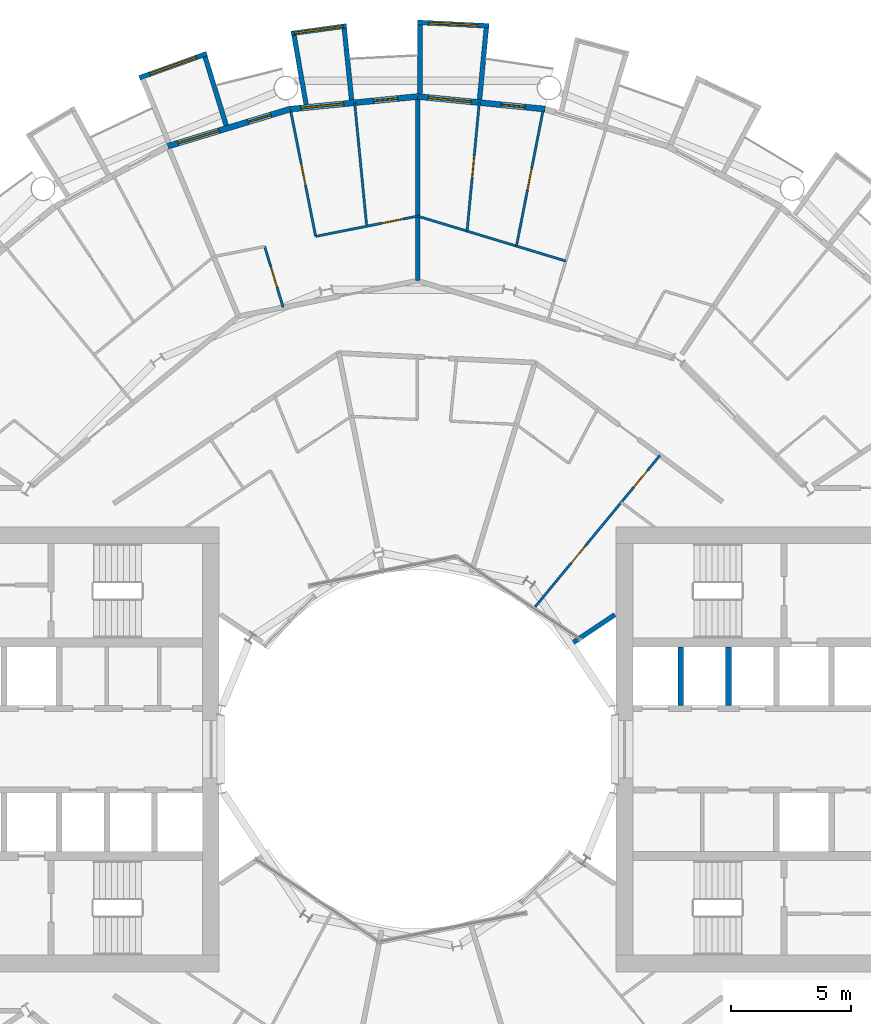
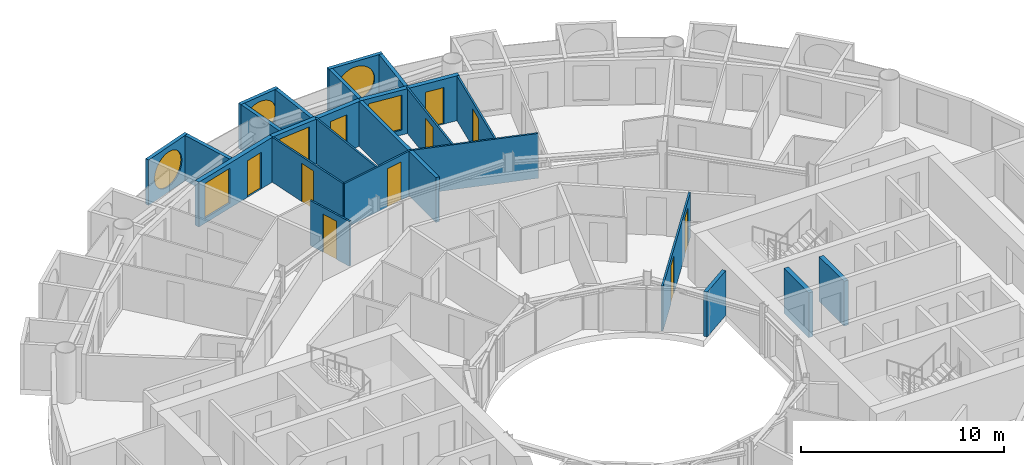
# One storey, part 20 of 26: 23 walls, 10 doors, 6 windows, 16 openings.
"""IFC4 building model written with IfcOpenShell, lengths in metres."""

from ifc_helpers import new_model, si_unit, direction, frame, frame_2d, origin, place, context, subcontext, project, spatial, rectangle, circle, extrude, material, layer, layer_set, type_object, element, fill, save


model = new_model("IFC4")

# Units and contexts
model_context = context("Model", 3, precision=1e-05, world=origin(), true_north=direction((0.0, 1.0)))
body_context = subcontext(model_context, "Body", "Model", "MODEL_VIEW")
ifc_project = project(units=[si_unit("LENGTHUNIT", "METRE"), si_unit("AREAUNIT", "SQUARE_METRE"), si_unit("VOLUMEUNIT", "CUBIC_METRE"), si_unit("PLANEANGLEUNIT", "RADIAN"), si_unit("MASSUNIT", "GRAM", prefix="KILO")], contexts=[model_context])

# Site, building, storey
site_placement = place(None, origin())
site = spatial("IfcSite", under=ifc_project, at=site_placement, CompositionType="ELEMENT")
building_placement = place(site_placement, origin())
building = spatial("IfcBuilding", under=site, at=building_placement, Name="Maasbend Ring Residences", CompositionType="ELEMENT")
storey_placement = place(building_placement, frame((0.0, 0.0, 88.0)))
storey = spatial("IfcBuildingStorey", under=building, at=storey_placement, Name="L25", CompositionType="ELEMENT", Elevation=88.0)

# Wall, opening, window
ifc_material_1 = material(Name="Pale anodised aluminium panel", Category="aluminium")
ifc_layer_1 = layer(ifc_material_1, 0.199951171875)
ifc_layer_set_1 = layer_set([ifc_layer_1], Name="EW-BOX")
wall_type_1 = type_object("IfcWallType", Name="EW-BOX", PredefinedType="SOLIDWALL", material=ifc_layer_set_1)
wall_1_placement = place(storey_placement, frame((2.985107421875, 30.2529296875, -0.030029296875), z_axis=(0.0, 0.0, 1.0), x_axis=(-0.998794083011, 0.049095618353, 0.0)))
wall_1 = element("IfcWall", 1, at=wall_1_placement, inside=storey, type_object=wall_type_1, Name="Box front N10", PredefinedType="SOLIDWALL", context=body_context, shape_type="SweptSolid", body=[
    extrude(rectangle(XDim=2.99365234375, YDim=0.199951171875, at=frame_2d((1.496826171875, 0.0))), origin(), (0.0, 0.0, 1.0), 2.72998046875),
])
opening_1_placement = place(wall_1_placement, frame((0.45654296875, 0.0, 0.330078125)))
opening_1 = element("IfcOpeningElement", 2, at=opening_1_placement, cuts=wall_1, Name="Opening W-RD", PredefinedType="OPENING", context=body_context, shape_type="SweptSolid", body=[
    extrude(circle(Radius=1.0400390625, at=frame_2d((1.0400390625, 1.0400390625))), frame((0.0, 0.10986328125, 0.0), z_axis=(0.0, -1.0, 0.0), x_axis=(1.0, 0.0, 0.0)), (0.0, 0.0, 1.0), 0.219970703125),
])
ifc_material_2 = material(Name="Aluminium and clear glass", Category="aluminium")
window_type_1 = type_object("IfcWindowType", Name="W-RD", PartitioningType="SINGLE_PANEL", PredefinedType="WINDOW", material=ifc_material_2)
window_1_placement = place(opening_1_placement, origin())
window_1 = element("IfcWindow", 3, at=window_1_placement, inside=storey, type_object=window_type_1, Name="Round window N10", OverallHeight=2.080078125, OverallWidth=2.080078125, PartitioningType="SINGLE_PANEL", PredefinedType="WINDOW", context=body_context, shape_type="SweptSolid", body=[
    extrude(circle(Radius=1.0400390625, at=frame_2d((1.0400390625, 1.0400390625))), frame((0.0, 0.030029296875, 0.0), z_axis=(0.0, -1.0, 0.0), x_axis=(1.0, 0.0, 0.0)), (0.0, 0.0, 1.0), 0.06005859375),
])
fill(opening_1, window_1)

# Walls
wall_2_placement = place(storey_placement, frame((2.5859375, 27.1708984375, -0.030029296875), z_axis=(0.0, 0.0, 1.0), x_axis=(0.094548432284, 0.995520262954, 0.0)))
element("IfcWall", 4, at=wall_2_placement, inside=storey, type_object=wall_type_1, Name="Box side wall N10 left", PredefinedType="SOLIDWALL", context=body_context, shape_type="SweptSolid", body=[
    extrude(rectangle(XDim=3.005615234375, YDim=0.199951171875, at=frame_2d((1.5029296875, 0.0))), origin(), (0.0, 0.0, 1.0), 2.72998046875),
])
wall_3_placement = place(storey_placement, frame((0.090087890625, 27.4169921875, -0.030029296875), z_axis=(0.0, 0.0, 1.0), x_axis=(0.00347308367, 0.999993968827, 0.0)))
element("IfcWall", 5, at=wall_3_placement, inside=storey, type_object=wall_type_1, Name="Box side wall N10 right", PredefinedType="SOLIDWALL", context=body_context, shape_type="SweptSolid", body=[
    extrude(rectangle(XDim=2.882080078125, YDim=0.199951171875, at=frame_2d((1.44091796875, 0.0))), origin(), (0.0, 0.0, 1.0), 2.72998046875),
])

# Wall, opening, window
wall_4_placement = place(storey_placement, frame((-2.97607421875, 30.25390625, -0.030029296875), z_axis=(0.0, 0.0, 1.0), x_axis=(-0.990696111261, -0.136092671119, 0.0)))
wall_4 = element("IfcWall", 6, at=wall_4_placement, inside=storey, type_object=wall_type_1, Name="Box front N12", PredefinedType="SOLIDWALL", context=body_context, shape_type="SweptSolid", body=[
    extrude(rectangle(XDim=2.335693359375, YDim=0.199951171875, at=frame_2d((1.16796875, 0.0))), origin(), (0.0, 0.0, 1.0), 2.72998046875),
])
opening_2_placement = place(wall_4_placement, frame((0.128173828125, 0.0, 0.330078125)))
opening_2 = element("IfcOpeningElement", 7, at=opening_2_placement, cuts=wall_4, Name="Opening W-RD", PredefinedType="OPENING", context=body_context, shape_type="SweptSolid", body=[
    extrude(circle(Radius=1.0400390625, at=frame_2d((1.0400390625, 1.0400390625))), frame((0.0, 0.10986328125, 0.0), z_axis=(0.0, -1.0, 0.0), x_axis=(1.0, 0.0, 0.0)), (0.0, 0.0, 1.0), 0.219970703125),
])
window_2_placement = place(opening_2_placement, origin())
window_2 = element("IfcWindow", 8, at=window_2_placement, inside=storey, type_object=window_type_1, Name="Round window N12", OverallHeight=2.080078125, OverallWidth=2.080078125, PartitioningType="SINGLE_PANEL", PredefinedType="WINDOW", context=body_context, shape_type="SweptSolid", body=[
    extrude(circle(Radius=1.0400390625, at=frame_2d((1.0400390625, 1.0400390625))), frame((0.0, 0.030029296875, 0.0), z_axis=(0.0, -1.0, 0.0), x_axis=(1.0, 0.0, 0.0)), (0.0, 0.0, 1.0), 0.06005859375),
])
fill(opening_2, window_2)

# Walls
wall_5_placement = place(storey_placement, frame((-2.763916015625, 27.153076171875, -0.030029296875), z_axis=(0.0, 0.0, 1.0), x_axis=(-0.101505487237, 0.994834979311, 0.0)))
element("IfcWall", 9, at=wall_5_placement, inside=storey, type_object=wall_type_1, Name="Box side wall N12 left", PredefinedType="SOLIDWALL", context=body_context, shape_type="SweptSolid", body=[
    extrude(rectangle(XDim=3.006591796875, YDim=0.199951171875, at=frame_2d((1.50341796875, 0.0))), origin(), (0.0, 0.0, 1.0), 2.72998046875),
])
wall_6_placement = place(storey_placement, frame((-4.6708984375, 26.966064453125, -0.030029296875), z_axis=(0.0, 0.0, 1.0), x_axis=(-0.170539878907, 0.985350774954, 0.0)))
element("IfcWall", 10, at=wall_6_placement, inside=storey, type_object=wall_type_1, Name="Box side wall N12 right", PredefinedType="SOLIDWALL", context=body_context, shape_type="SweptSolid", body=[
    extrude(rectangle(XDim=2.931884765625, YDim=0.199951171875, at=frame_2d((1.4658203125, 0.0))), origin(), (0.0, 0.0, 1.0), 2.72998046875),
])

# Wall, opening, window
wall_7_placement = place(storey_placement, frame((-8.820068359375, 29.093017578125, -0.030029296875), z_axis=(0.0, 0.0, 1.0), x_axis=(-0.941461077774, -0.337121697664, 0.0)))
wall_7 = element("IfcWall", 11, at=wall_7_placement, inside=storey, type_object=wall_type_1, Name="Box front N14", PredefinedType="SOLIDWALL", context=body_context, shape_type="SweptSolid", body=[
    extrude(rectangle(XDim=2.9931640625, YDim=0.199951171875, at=frame_2d((1.49658203125, 0.0))), origin(), (0.0, 0.0, 1.0), 2.72998046875),
])
opening_3_placement = place(wall_7_placement, frame((0.45654296875, 0.0, 0.330078125)))
opening_3 = element("IfcOpeningElement", 12, at=opening_3_placement, cuts=wall_7, Name="Opening W-RD", PredefinedType="OPENING", context=body_context, shape_type="SweptSolid", body=[
    extrude(circle(Radius=1.0400390625, at=frame_2d((1.0400390625, 1.0400390625))), frame((0.0, 0.10986328125, 0.0), z_axis=(0.0, -1.0, 0.0), x_axis=(1.0, 0.0, 0.0)), (0.0, 0.0, 1.0), 0.219970703125),
])
window_3_placement = place(opening_3_placement, origin())
window_3 = element("IfcWindow", 13, at=window_3_placement, inside=storey, type_object=window_type_1, Name="Round window N14", OverallHeight=2.080078125, OverallWidth=2.080078125, PartitioningType="SINGLE_PANEL", PredefinedType="WINDOW", context=body_context, shape_type="SweptSolid", body=[
    extrude(circle(Radius=1.0400390625, at=frame_2d((1.0400390625, 1.0400390625))), frame((0.0, 0.030029296875, 0.0), z_axis=(0.0, -1.0, 0.0), x_axis=(1.0, 0.0, 0.0)), (0.0, 0.0, 1.0), 0.06005859375),
])
fill(opening_3, window_3)

# Wall
wall_8_placement = place(storey_placement, frame((-8.009033203125, 26.092041015625, -0.030029296875), z_axis=(0.0, 0.0, 1.0), x_axis=(-0.293406695073, 0.955987715029, 0.0)))
element("IfcWall", 14, at=wall_8_placement, inside=storey, type_object=wall_type_1, Name="Box side wall N14 left", PredefinedType="SOLIDWALL", context=body_context, shape_type="SweptSolid", body=[
    extrude(rectangle(XDim=3.00634765625, YDim=0.199951171875, at=frame_2d((1.503173828125, 0.0))), origin(), (0.0, 0.0, 1.0), 2.72998046875),
])

# Wall, openings, door, window
ifc_material_3 = material(Name="Aluminium clad insulated panel", Category="aluminium")
ifc_layer_2 = layer(ifc_material_3, 0.25)
ifc_layer_set_2 = layer_set([ifc_layer_2], Name="EW-GL")
wall_type_2 = type_object("IfcWallType", Name="EW-GL", PredefinedType="SOLIDWALL", material=ifc_layer_set_2)
wall_9_placement = place(storey_placement, frame((5.325927734375, 26.77490234375, 0.0), z_axis=(0.0, 0.0, 1.0), x_axis=(-0.995173996315, 0.098126026407, 0.0)))
wall_9 = element("IfcWall", 15, at=wall_9_placement, inside=storey, type_object=wall_type_2, Name="External wall N05", PredefinedType="SOLIDWALL", context=body_context, shape_type="SweptSolid", body=[
    extrude(rectangle(XDim=5.351806640625, YDim=0.25, at=frame_2d((2.67578125, 0.0))), origin(), (0.0, 0.0, 1.0), 2.699951171875),
])
opening_4_placement = place(wall_9_placement, frame((0.841064453125, 0.0, 0.0)))
opening_4 = element("IfcOpeningElement", 16, at=opening_4_placement, cuts=wall_9, Name="Opening D-LG", PredefinedType="OPENING", context=body_context, shape_type="SweptSolid", body=[
    extrude(rectangle(XDim=1.0, YDim=2.199951171875, at=frame_2d((0.5, 1.10009765625))), frame((0.0, 0.135009765625, 0.0), z_axis=(0.0, -1.0, 0.0), x_axis=(1.0, 0.0, 0.0)), (0.0, 0.0, 1.0), 0.27001953125),
])
opening_5_placement = place(wall_9_placement, frame((3.110595703125, 0.0, 0.300048828125)))
opening_5 = element("IfcOpeningElement", 17, at=opening_5_placement, cuts=wall_9, Name="Opening W-BX", PredefinedType="OPENING", context=body_context, shape_type="SweptSolid", body=[
    extrude(rectangle(XDim=1.800048828125, YDim=2.10009765625, at=frame_2d((0.89990234375, 1.050048828125))), frame((0.0, 0.135009765625, 0.0), z_axis=(0.0, -1.0, 0.0), x_axis=(1.0, 0.0, 0.0)), (0.0, 0.0, 1.0), 0.27001953125),
])
ifc_material_4 = material(Name="Aluminium and clear glass", Category="aluminium")
door_type_1 = type_object("IfcDoorType", Name="D-LG", OperationType="SINGLE_SWING_LEFT", PredefinedType="DOOR", material=ifc_material_4)
door_1_placement = place(opening_4_placement, origin())
door_1 = element("IfcDoor", 18, at=door_1_placement, inside=storey, type_object=door_type_1, Name="Loggia door N09", OperationType="SINGLE_SWING_LEFT", OverallHeight=2.199951171875, OverallWidth=1.0, PredefinedType="DOOR", context=body_context, shape_type="SweptSolid", body=[
    extrude(rectangle(XDim=1.0, YDim=2.199951171875, at=frame_2d((0.5, 1.10009765625))), frame((0.0, 0.02490234375, 0.0), z_axis=(0.0, -1.0, 0.0), x_axis=(1.0, 0.0, 0.0)), (0.0, 0.0, 1.0), 0.050048828125),
])
fill(opening_4, door_1)
ifc_material_5 = material(Name="Aluminium and clear glass", Category="aluminium")
window_type_2 = type_object("IfcWindowType", Name="W-BX", PartitioningType="DOUBLE_PANEL_VERTICAL", PredefinedType="WINDOW", material=ifc_material_5)
window_4_placement = place(opening_5_placement, origin())
window_4 = element("IfcWindow", 19, at=window_4_placement, inside=storey, type_object=window_type_2, Name="Window N10 room to box", OverallHeight=2.10009765625, OverallWidth=1.800048828125, PartitioningType="SINGLE_PANEL", PredefinedType="WINDOW", context=body_context, shape_type="SweptSolid", body=[
    extrude(rectangle(XDim=1.800048828125, YDim=2.10009765625, at=frame_2d((0.89990234375, 1.050048828125))), frame((0.0, 0.030029296875, 0.0), z_axis=(0.0, -1.0, 0.0), x_axis=(1.0, 0.0, 0.0)), (0.0, 0.0, 1.0), 0.06005859375),
])
fill(opening_5, window_4)

wall_10_placement = place(storey_placement, frame((0.0, 27.300048828125, 0.0), z_axis=(0.0, 0.0, 1.0), x_axis=(-0.995173996315, -0.098126026407, 0.0)))
wall_10 = element("IfcWall", 20, at=wall_10_placement, inside=storey, type_object=wall_type_2, Name="External wall N06", PredefinedType="SOLIDWALL", context=body_context, shape_type="SweptSolid", body=[
    extrude(rectangle(XDim=5.351806640625, YDim=0.25, at=frame_2d((2.67578125, 0.0))), origin(), (0.0, 0.0, 1.0), 2.699951171875),
])
opening_6_placement = place(wall_10_placement, frame((0.841064453125, 0.0, 0.0)))
opening_6 = element("IfcOpeningElement", 21, at=opening_6_placement, cuts=wall_10, Name="Opening D-LG", PredefinedType="OPENING", context=body_context, shape_type="SweptSolid", body=[
    extrude(rectangle(XDim=1.0, YDim=2.199951171875, at=frame_2d((0.5, 1.10009765625))), frame((0.0, 0.135009765625, 0.0), z_axis=(0.0, -1.0, 0.0), x_axis=(1.0, 0.0, 0.0)), (0.0, 0.0, 1.0), 0.27001953125),
])
opening_7_placement = place(wall_10_placement, frame((3.110595703125, 0.0, 0.300048828125)))
opening_7 = element("IfcOpeningElement", 22, at=opening_7_placement, cuts=wall_10, Name="Opening W-BX", PredefinedType="OPENING", context=body_context, shape_type="SweptSolid", body=[
    extrude(rectangle(XDim=1.800048828125, YDim=2.10009765625, at=frame_2d((0.89990234375, 1.050048828125))), frame((0.0, 0.135009765625, 0.0), z_axis=(0.0, -1.0, 0.0), x_axis=(1.0, 0.0, 0.0)), (0.0, 0.0, 1.0), 0.27001953125),
])
door_2_placement = place(opening_6_placement, origin())
door_2 = element("IfcDoor", 23, at=door_2_placement, inside=storey, type_object=door_type_1, Name="Loggia door N11", OperationType="SINGLE_SWING_LEFT", OverallHeight=2.199951171875, OverallWidth=1.0, PredefinedType="DOOR", context=body_context, shape_type="SweptSolid", body=[
    extrude(rectangle(XDim=1.0, YDim=2.199951171875, at=frame_2d((0.5, 1.10009765625))), frame((0.0, 0.02490234375, 0.0), z_axis=(0.0, -1.0, 0.0), x_axis=(1.0, 0.0, 0.0)), (0.0, 0.0, 1.0), 0.050048828125),
])
fill(opening_6, door_2)
window_5_placement = place(opening_7_placement, origin())
window_5 = element("IfcWindow", 24, at=window_5_placement, inside=storey, type_object=window_type_2, Name="Window N12 room to box", OverallHeight=2.10009765625, OverallWidth=1.800048828125, PartitioningType="SINGLE_PANEL", PredefinedType="WINDOW", context=body_context, shape_type="SweptSolid", body=[
    extrude(rectangle(XDim=1.800048828125, YDim=2.10009765625, at=frame_2d((0.89990234375, 1.050048828125))), frame((0.0, 0.030029296875, 0.0), z_axis=(0.0, -1.0, 0.0), x_axis=(1.0, 0.0, 0.0)), (0.0, 0.0, 1.0), 0.06005859375),
])
fill(opening_7, window_5)

wall_11_placement = place(storey_placement, frame((-5.325927734375, 26.77490234375, 0.0), z_axis=(0.0, 0.0, 1.0), x_axis=(-0.956965678721, -0.290201119486, 0.0)))
wall_11 = element("IfcWall", 25, at=wall_11_placement, inside=storey, type_object=wall_type_2, Name="External wall N07", PredefinedType="SOLIDWALL", context=body_context, shape_type="SweptSolid", body=[
    extrude(rectangle(XDim=5.351318359375, YDim=0.25, at=frame_2d((2.67578125, 0.0))), origin(), (0.0, 0.0, 1.0), 2.699951171875),
])
opening_8_placement = place(wall_11_placement, frame((0.841064453125, 0.0, 0.0)))
opening_8 = element("IfcOpeningElement", 26, at=opening_8_placement, cuts=wall_11, Name="Opening D-LG", PredefinedType="OPENING", context=body_context, shape_type="SweptSolid", body=[
    extrude(rectangle(XDim=1.0, YDim=2.199951171875, at=frame_2d((0.5, 1.10009765625))), frame((0.0, 0.135009765625, 0.0), z_axis=(0.0, -1.0, 0.0), x_axis=(1.0, 0.0, 0.0)), (0.0, 0.0, 1.0), 0.27001953125),
])
opening_9_placement = place(wall_11_placement, frame((3.110595703125, 0.0, 0.300048828125)))
opening_9 = element("IfcOpeningElement", 27, at=opening_9_placement, cuts=wall_11, Name="Opening W-BX", PredefinedType="OPENING", context=body_context, shape_type="SweptSolid", body=[
    extrude(rectangle(XDim=1.800048828125, YDim=2.10009765625, at=frame_2d((0.89990234375, 1.050048828125))), frame((0.0, 0.135009765625, 0.0), z_axis=(0.0, -1.0, 0.0), x_axis=(1.0, 0.0, 0.0)), (0.0, 0.0, 1.0), 0.27001953125),
])
door_3_placement = place(opening_8_placement, origin())
door_3 = element("IfcDoor", 28, at=door_3_placement, inside=storey, type_object=door_type_1, Name="Loggia door N13", OperationType="SINGLE_SWING_LEFT", OverallHeight=2.199951171875, OverallWidth=1.0, PredefinedType="DOOR", context=body_context, shape_type="SweptSolid", body=[
    extrude(rectangle(XDim=1.0, YDim=2.199951171875, at=frame_2d((0.5, 1.10009765625))), frame((0.0, 0.02490234375, 0.0), z_axis=(0.0, -1.0, 0.0), x_axis=(1.0, 0.0, 0.0)), (0.0, 0.0, 1.0), 0.050048828125),
])
fill(opening_8, door_3)
window_6_placement = place(opening_9_placement, origin())
window_6 = element("IfcWindow", 29, at=window_6_placement, inside=storey, type_object=window_type_2, Name="Window N14 room to box", OverallHeight=2.10009765625, OverallWidth=1.800048828125, PartitioningType="SINGLE_PANEL", PredefinedType="WINDOW", context=body_context, shape_type="SweptSolid", body=[
    extrude(rectangle(XDim=1.800048828125, YDim=2.10009765625, at=frame_2d((0.89990234375, 1.050048828125))), frame((0.0, 0.030029296875, 0.0), z_axis=(0.0, -1.0, 0.0), x_axis=(1.0, 0.0, 0.0)), (0.0, 0.0, 1.0), 0.06005859375),
])
fill(opening_9, window_6)

# Wall, opening, door
ifc_material_6 = material(Name="Gypsum board on steel studs", Category="steel")
ifc_layer_3 = layer(ifc_material_6, 0.10009765625)
ifc_layer_set_3 = layer_set([ifc_layer_3], Name="PARTITION 100 GYPSUM")
wall_type_3 = type_object("IfcWallType", Name="PARTITION 100 GYPSUM", PredefinedType="PARTITIONING", material=ifc_layer_set_3)
wall_12_placement = place(storey_placement, frame((-6.39990234375, 21.027099609375, 0.0), z_axis=(0.0, 0.0, 1.0), x_axis=(0.291157965538, -0.956674991365, 0.0)))
wall_12 = element("IfcWall", 30, at=wall_12_placement, inside=storey, type_object=wall_type_3, Name="U-L25-w043", PredefinedType="PARTITIONING", context=body_context, shape_type="SweptSolid", body=[
    extrude(rectangle(XDim=2.661376953125, YDim=0.10009765625, at=frame_2d((1.33056640625, 0.0))), origin(), (0.0, 0.0, 1.0), 2.699951171875),
])
opening_10_placement = place(wall_12_placement, frame((0.881103515625, 0.0, 0.0)))
opening_10 = element("IfcOpeningElement", 31, at=opening_10_placement, cuts=wall_12, Name="Opening D-2512", PredefinedType="OPENING", context=body_context, shape_type="SweptSolid", body=[
    extrude(rectangle(XDim=0.89990234375, YDim=2.300048828125, at=frame_2d((0.449951171875, 1.14990234375))), frame((0.0, 0.06005859375, 0.0), z_axis=(0.0, -1.0, 0.0), x_axis=(1.0, 0.0, 0.0)), (0.0, 0.0, 1.0), 0.1201171875),
])
ifc_material_7 = material(Name="Timber, painted", Category="wood")
door_type_2 = type_object("IfcDoorType", Name="INTERNAL DOOR 900 X 2300", OperationType="NOTDEFINED", PredefinedType="DOOR", material=ifc_material_7)
door_4_placement = place(opening_10_placement, origin())
door_4 = element("IfcDoor", 32, at=door_4_placement, inside=storey, type_object=door_type_2, Name="D-2512", OperationType="SINGLE_SWING_RIGHT", OverallHeight=2.300048828125, OverallWidth=0.89990234375, PredefinedType="DOOR", context=body_context, shape_type="SweptSolid", body=[
    extrude(rectangle(XDim=0.89990234375, YDim=2.300048828125, at=frame_2d((0.449951171875, 1.14990234375))), frame((0.0, 0.02490234375, 0.0), z_axis=(0.0, -1.0, 0.0), x_axis=(1.0, 0.0, 0.0)), (0.0, 0.0, 1.0), 0.050048828125),
])
fill(opening_10, door_4)

wall_13_placement = place(storey_placement, frame((-5.302001953125, 26.653076171875, 0.0), z_axis=(0.0, 0.0, 1.0), x_axis=(0.195115793364, -0.980780213493, 0.0)))
wall_13 = element("IfcWall", 33, at=wall_13_placement, inside=storey, type_object=wall_type_3, Name="U-L25-w049", PredefinedType="PARTITIONING", context=body_context, shape_type="SweptSolid", body=[
    extrude(rectangle(XDim=5.30419921875, YDim=0.10009765625, at=frame_2d((2.652099609375, 0.0))), origin(), (0.0, 0.0, 1.0), 2.699951171875),
])
opening_11_placement = place(wall_13_placement, frame((2.201904296875, 0.0, 0.0)))
opening_11 = element("IfcOpeningElement", 34, at=opening_11_placement, cuts=wall_13, Name="Opening D-2513", PredefinedType="OPENING", context=body_context, shape_type="SweptSolid", body=[
    extrude(rectangle(XDim=0.89990234375, YDim=2.300048828125, at=frame_2d((0.449951171875, 1.14990234375))), frame((0.0, 0.06005859375, 0.0), z_axis=(0.0, -1.0, 0.0), x_axis=(1.0, 0.0, 0.0)), (0.0, 0.0, 1.0), 0.1201171875),
])
door_5_placement = place(opening_11_placement, origin())
door_5 = element("IfcDoor", 35, at=door_5_placement, inside=storey, type_object=door_type_2, Name="D-2513", OperationType="SINGLE_SWING_LEFT", OverallHeight=2.300048828125, OverallWidth=0.89990234375, PredefinedType="DOOR", context=body_context, shape_type="SweptSolid", body=[
    extrude(rectangle(XDim=0.89990234375, YDim=2.300048828125, at=frame_2d((0.449951171875, 1.14990234375))), frame((0.0, 0.02490234375, 0.0), z_axis=(0.0, -1.0, 0.0), x_axis=(1.0, 0.0, 0.0)), (0.0, 0.0, 1.0), 0.050048828125),
])
fill(opening_11, door_5)

# Wall
wall_14_placement = place(storey_placement, frame((-2.637939453125, 27.047119140625, 0.0), z_axis=(0.0, 0.0, 1.0), x_axis=(0.097172620677, -0.99526754282, 0.0)))
element("IfcWall", 36, at=wall_14_placement, inside=storey, type_object=wall_type_3, Name="U-L25-w052", PredefinedType="PARTITIONING", context=body_context, shape_type="SweptSolid", body=[
    extrude(rectangle(XDim=5.19580078125, YDim=0.10009765625, at=frame_2d((2.597900390625, 0.0))), origin(), (0.0, 0.0, 1.0), 2.699951171875),
])

# Wall, opening, door
wall_15_placement = place(storey_placement, frame((2.06494140625, 21.674072265625, 0.0), z_axis=(0.0, 0.0, 1.0), x_axis=(0.094751520537, 0.99550095397, 0.0)))
wall_15 = element("IfcWall", 37, at=wall_15_placement, inside=storey, type_object=wall_type_3, Name="U-L25-w062", PredefinedType="PARTITIONING", context=body_context, shape_type="SweptSolid", body=[
    extrude(rectangle(XDim=5.4033203125, YDim=0.10009765625, at=frame_2d((2.70166015625, 0.0))), origin(), (0.0, 0.0, 1.0), 2.699951171875),
])
opening_12_placement = place(wall_15_placement, frame((2.251953125, 0.0, 0.0)))
opening_12 = element("IfcOpeningElement", 38, at=opening_12_placement, cuts=wall_15, Name="Opening D-2510", PredefinedType="OPENING", context=body_context, shape_type="SweptSolid", body=[
    extrude(rectangle(XDim=0.89990234375, YDim=2.300048828125, at=frame_2d((0.449951171875, 1.14990234375))), frame((0.0, 0.06005859375, 0.0), z_axis=(0.0, -1.0, 0.0), x_axis=(1.0, 0.0, 0.0)), (0.0, 0.0, 1.0), 0.1201171875),
])
door_6_placement = place(opening_12_placement, origin())
door_6 = element("IfcDoor", 39, at=door_6_placement, inside=storey, type_object=door_type_2, Name="D-2510", OperationType="SINGLE_SWING_LEFT", OverallHeight=2.300048828125, OverallWidth=0.89990234375, PredefinedType="DOOR", context=body_context, shape_type="SweptSolid", body=[
    extrude(rectangle(XDim=0.89990234375, YDim=2.300048828125, at=frame_2d((0.449951171875, 1.14990234375))), frame((0.0, 0.02490234375, 0.0), z_axis=(0.0, -1.0, 0.0), x_axis=(1.0, 0.0, 0.0)), (0.0, 0.0, 1.0), 0.050048828125),
])
fill(opening_12, door_6)

wall_16_placement = place(storey_placement, frame((4.1298828125, 21.047119140625, 0.0), z_axis=(0.0, 0.0, 1.0), x_axis=(0.192433779325, 0.981309961518, 0.0)))
wall_16 = element("IfcWall", 40, at=wall_16_placement, inside=storey, type_object=wall_type_3, Name="U-L25-w066", PredefinedType="PARTITIONING", context=body_context, shape_type="SweptSolid", body=[
    extrude(rectangle(XDim=5.726806640625, YDim=0.10009765625, at=frame_2d((2.86328125, 0.0))), origin(), (0.0, 0.0, 1.0), 2.699951171875),
])
opening_13_placement = place(wall_16_placement, frame((2.4140625, 0.0, 0.0)))
opening_13 = element("IfcOpeningElement", 41, at=opening_13_placement, cuts=wall_16, Name="Opening D-2509", PredefinedType="OPENING", context=body_context, shape_type="SweptSolid", body=[
    extrude(rectangle(XDim=0.89990234375, YDim=2.300048828125, at=frame_2d((0.449951171875, 1.14990234375))), frame((0.0, 0.06005859375, 0.0), z_axis=(0.0, -1.0, 0.0), x_axis=(1.0, 0.0, 0.0)), (0.0, 0.0, 1.0), 0.1201171875),
])
door_7_placement = place(opening_13_placement, origin())
door_7 = element("IfcDoor", 42, at=door_7_placement, inside=storey, type_object=door_type_2, Name="D-2509", OperationType="SINGLE_SWING_RIGHT", OverallHeight=2.300048828125, OverallWidth=0.89990234375, PredefinedType="DOOR", context=body_context, shape_type="SweptSolid", body=[
    extrude(rectangle(XDim=0.89990234375, YDim=2.300048828125, at=frame_2d((0.449951171875, 1.14990234375))), frame((0.0, 0.02490234375, 0.0), z_axis=(0.0, -1.0, 0.0), x_axis=(1.0, 0.0, 0.0)), (0.0, 0.0, 1.0), 0.050048828125),
])
fill(opening_13, door_7)

# Wall, openings, doors
wall_17_placement = place(storey_placement, frame((4.908935546875, 5.9580078125, 0.0), z_axis=(0.0, 0.0, 1.0), x_axis=(0.635976043025, 0.771708800454, 0.0)))
wall_17 = element("IfcWall", 43, at=wall_17_placement, inside=storey, type_object=wall_type_3, Name="U-L25-w068", PredefinedType="PARTITIONING", context=body_context, shape_type="SweptSolid", body=[
    extrude(rectangle(XDim=8.212890625, YDim=0.10009765625, at=frame_2d((4.1064453125, 0.0))), origin(), (0.0, 0.0, 1.0), 2.699951171875),
])
opening_14_placement = place(wall_17_placement, frame((6.489990234375, 0.0, 0.0)))
opening_14 = element("IfcOpeningElement", 44, at=opening_14_placement, cuts=wall_17, Name="Opening D-2523", PredefinedType="OPENING", context=body_context, shape_type="SweptSolid", body=[
    extrude(rectangle(XDim=0.89990234375, YDim=2.300048828125, at=frame_2d((0.449951171875, 1.14990234375))), frame((0.0, 0.06005859375, 0.0), z_axis=(0.0, -1.0, 0.0), x_axis=(1.0, 0.0, 0.0)), (0.0, 0.0, 1.0), 0.1201171875),
])
opening_15_placement = place(wall_17_placement, frame((2.384033203125, 0.0, 0.0)))
opening_15 = element("IfcOpeningElement", 45, at=opening_15_placement, cuts=wall_17, Name="Opening D-2524", PredefinedType="OPENING", context=body_context, shape_type="SweptSolid", body=[
    extrude(rectangle(XDim=0.89990234375, YDim=2.300048828125, at=frame_2d((0.449951171875, 1.14990234375))), frame((0.0, 0.06005859375, 0.0), z_axis=(0.0, -1.0, 0.0), x_axis=(1.0, 0.0, 0.0)), (0.0, 0.0, 1.0), 0.1201171875),
])
door_8_placement = place(opening_14_placement, origin())
door_8 = element("IfcDoor", 46, at=door_8_placement, inside=storey, type_object=door_type_2, Name="D-2523", OperationType="SINGLE_SWING_RIGHT", OverallHeight=2.300048828125, OverallWidth=0.89990234375, PredefinedType="DOOR", context=body_context, shape_type="SweptSolid", body=[
    extrude(rectangle(XDim=0.89990234375, YDim=2.300048828125, at=frame_2d((0.449951171875, 1.14990234375))), frame((0.0, 0.02490234375, 0.0), z_axis=(0.0, -1.0, 0.0), x_axis=(1.0, 0.0, 0.0)), (0.0, 0.0, 1.0), 0.050048828125),
])
fill(opening_14, door_8)
door_9_placement = place(opening_15_placement, origin())
door_9 = element("IfcDoor", 47, at=door_9_placement, inside=storey, type_object=door_type_2, Name="D-2524", OperationType="SINGLE_SWING_LEFT", OverallHeight=2.300048828125, OverallWidth=0.89990234375, PredefinedType="DOOR", context=body_context, shape_type="SweptSolid", body=[
    extrude(rectangle(XDim=0.89990234375, YDim=2.300048828125, at=frame_2d((0.449951171875, 1.14990234375))), frame((0.0, 0.02490234375, 0.0), z_axis=(0.0, -1.0, 0.0), x_axis=(1.0, 0.0, 0.0)), (0.0, 0.0, 1.0), 0.050048828125),
])
fill(opening_15, door_9)

# Wall
wall_18_placement = place(storey_placement, frame((-0.00390625, 22.299072265625, 0.0), z_axis=(0.0, 0.0, 1.0), x_axis=(0.95699555343, -0.290102586537, 0.0)))
element("IfcWall", 48, at=wall_18_placement, inside=storey, type_object=wall_type_3, Name="U-L25-w104", PredefinedType="PARTITIONING", context=body_context, shape_type="SweptSolid", body=[
    extrude(rectangle(XDim=6.4775390625, YDim=0.10009765625, at=frame_2d((3.23876953125, 0.0))), origin(), (0.0, 0.0, 1.0), 2.699951171875),
])

# Wall, opening, door
wall_19_placement = place(storey_placement, frame((-4.260986328125, 21.451904296875, 0.0), z_axis=(0.0, 0.0, 1.0), x_axis=(0.980819753929, 0.194916931799, 0.0)))
wall_19 = element("IfcWall", 49, at=wall_19_placement, inside=storey, type_object=wall_type_3, Name="U-L25-w109", PredefinedType="PARTITIONING", context=body_context, shape_type="SweptSolid", body=[
    extrude(rectangle(XDim=4.34619140625, YDim=0.10009765625, at=frame_2d((2.173095703125, 0.0))), origin(), (0.0, 0.0, 1.0), 2.699951171875),
])
opening_16_placement = place(wall_19_placement, frame((2.806884765625, 0.0, 0.0)))
opening_16 = element("IfcOpeningElement", 50, at=opening_16_placement, cuts=wall_19, Name="Opening D-2514", PredefinedType="OPENING", context=body_context, shape_type="SweptSolid", body=[
    extrude(rectangle(XDim=0.89990234375, YDim=2.300048828125, at=frame_2d((0.449951171875, 1.14990234375))), frame((0.0, 0.06005859375, 0.0), z_axis=(0.0, -1.0, 0.0), x_axis=(1.0, 0.0, 0.0)), (0.0, 0.0, 1.0), 0.1201171875),
])
door_10_placement = place(opening_16_placement, origin())
door_10 = element("IfcDoor", 51, at=door_10_placement, inside=storey, type_object=door_type_2, Name="D-2514", OperationType="SINGLE_SWING_RIGHT", OverallHeight=2.300048828125, OverallWidth=0.89990234375, PredefinedType="DOOR", context=body_context, shape_type="SweptSolid", body=[
    extrude(rectangle(XDim=0.89990234375, YDim=2.300048828125, at=frame_2d((0.449951171875, 1.14990234375))), frame((0.0, 0.02490234375, 0.0), z_axis=(0.0, -1.0, 0.0), x_axis=(1.0, 0.0, 0.0)), (0.0, 0.0, 1.0), 0.050048828125),
])
fill(opening_16, door_10)

# Walls
ifc_material_8 = material(Name="Concrete C30/37", Category="concrete")
ifc_layer_4 = layer(ifc_material_8, 0.199951171875)
ifc_layer_set_4 = layer_set([ifc_layer_4], Name="Concrete C30/37")
wall_type_4 = type_object("IfcWallType", Name="PARTY WALL 200 CONCRETE", PredefinedType="PARTITIONING", material=ifc_layer_set_4)
wall_20_placement = place(storey_placement, frame((0.0, 19.60009765625, 0.0), z_axis=(0.0, 0.0, 1.0), x_axis=(0.0, 1.0, 0.0)))
element("IfcWall", 52, at=wall_20_placement, inside=storey, type_object=wall_type_4, Name="U-L25-w058", PredefinedType="PARTITIONING", context=body_context, shape_type="SweptSolid", body=[
    extrude(rectangle(XDim=7.574951171875, YDim=0.199951171875, at=frame_2d((3.78759765625, 0.0))), origin(), (0.0, 0.0, 1.0), 2.699951171875),
])
wall_21_placement = place(storey_placement, frame((6.512939453125, 4.471923828125, 0.0), z_axis=(0.0, 0.0, 1.0), x_axis=(0.831382204863, 0.555701025225, 0.0)))
element("IfcWall", 53, at=wall_21_placement, inside=storey, type_object=wall_type_4, Name="U-L25-w086", PredefinedType="PARTITIONING", context=body_context, shape_type="SweptSolid", body=[
    extrude(rectangle(XDim=2.08203125, YDim=0.199951171875, at=frame_2d((1.041015625, 0.0))), origin(), (0.0, 0.0, 1.0), 2.699951171875),
])
ifc_material_9 = material(Name="Concrete C30/37", Category="concrete")
ifc_layer_5 = layer(ifc_material_9, 0.25)
ifc_layer_set_5 = layer_set([ifc_layer_5], Name="Concrete C30/37")
wall_type_5 = type_object("IfcWallType", Name="SHAFT WALL 250 EI 120", PredefinedType="SOLIDWALL", material=ifc_layer_set_5)
for number, where, z_axis, x_axis, name in (
    (54, (11.0, 1.824951171875, 0.0), (0.0, 0.0, 1.0), (0.0, 1.0, 0.0), "L25 core E wall D110N"),
    (55, (13.0, 1.824951171875, 0.0), (0.0, 0.0, 1.0), (0.0, 1.0, 0.0), "L25 core E wall D130N"),
):
    element("IfcWall", number, at=place(storey_placement, frame(where, z_axis=z_axis, x_axis=x_axis)), inside=storey, type_object=wall_type_5, Name=name, PredefinedType="SOLIDWALL", context=body_context, shape_type="SweptSolid", body=[
        extrude(rectangle(XDim=2.449951171875, YDim=0.25, at=frame_2d((1.22509765625, 0.0))), origin(), (0.0, 0.0, 1.0), 2.699951171875),
    ])

save(model, "model.ifc")
